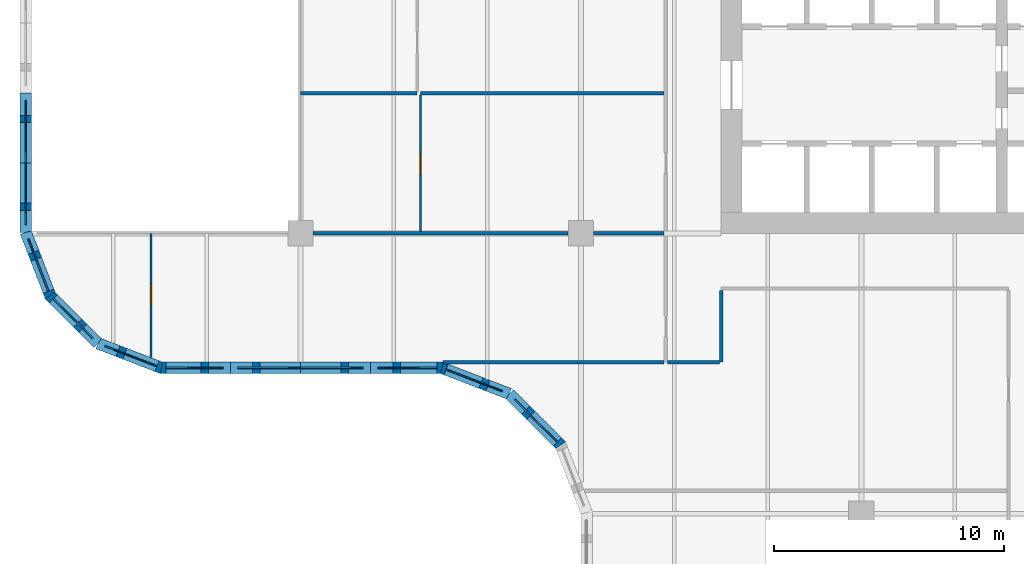
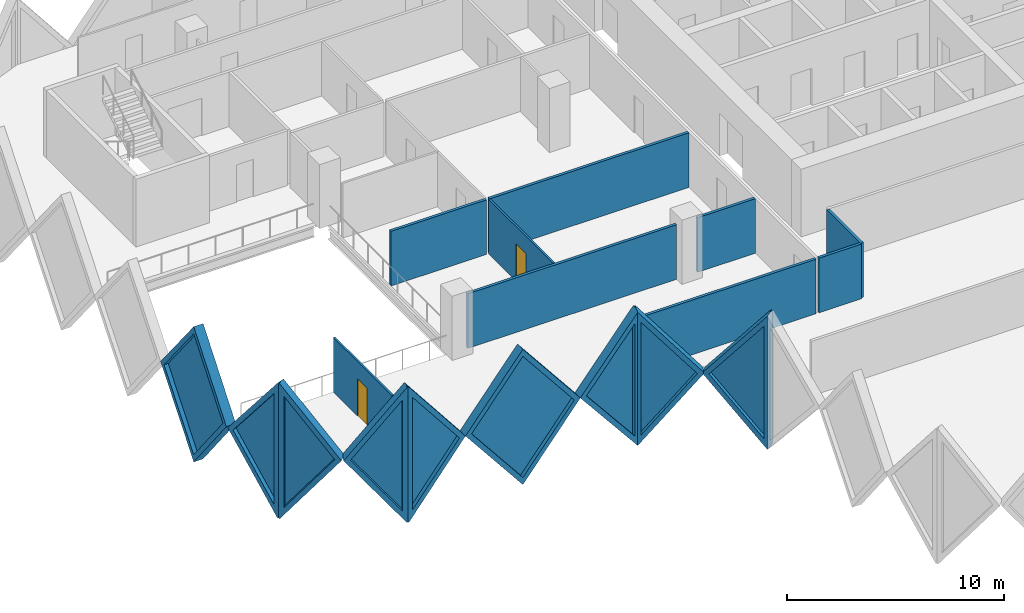
# One storey, part 4 of 18: 18 walls, 9 plates, 2 doors, 11 openings.
"""IFC4 building model written with IfcOpenShell, lengths in metres."""

from ifc_helpers import new_model, si_unit, direction, frame, frame_2d, origin, place, context, subcontext, project, spatial, polyline, rectangle, outline, extrude, faceted_brep, source, transform, mapped, material, layer, layer_set, type_object, element, fill, save


model = new_model("IFC4")

# Units and contexts
model_context = context("Model", 3, precision=1e-05, world=origin(), true_north=direction((0.0, 1.0)))
body_context = subcontext(model_context, "Body", "Model", "MODEL_VIEW")
ifc_project = project(units=[si_unit("LENGTHUNIT", "METRE"), si_unit("AREAUNIT", "SQUARE_METRE"), si_unit("VOLUMEUNIT", "CUBIC_METRE"), si_unit("PLANEANGLEUNIT", "RADIAN"), si_unit("MASSUNIT", "GRAM", prefix="KILO")], contexts=[model_context])

# Site, building, storey
site_placement = place(None, origin())
site = spatial("IfcSite", under=ifc_project, at=site_placement, CompositionType="ELEMENT")
building_placement = place(site_placement, origin())
building = spatial("IfcBuilding", under=site, at=building_placement, Name="Tessera Gate Towers", CompositionType="ELEMENT")
storey_placement = place(building_placement, frame((0.0, 0.0, 56.199951171875)))
storey = spatial("IfcBuildingStorey", under=building, at=storey_placement, Name="L13", CompositionType="ELEMENT", Elevation=56.199951171875)

# Walls
ifc_material_1 = material(Name="Gypsum board on steel studs, mineral wool", Category="steel")
ifc_layer_1 = layer(ifc_material_1, 0.14990234375)
ifc_layer_set_1 = layer_set([ifc_layer_1], Name="CORRIDOR WALL 150")
wall_type_1 = type_object("IfcWallType", Name="CORRIDOR WALL 150", PredefinedType="PARTITIONING", material=ifc_layer_set_1)
wall_1_placement = place(storey_placement, frame((28.176025390625, 18.800048828125, 0.0), z_axis=(0.0, 0.0, 1.0), x_axis=(1.0, 0.0, 0.0)))
element("IfcWall", 1, at=wall_1_placement, inside=storey, type_object=wall_type_1, Name="T1-L13-PW-014", PredefinedType="PARTITIONING", context=body_context, shape_type="SweptSolid", body=[
    extrude(rectangle(XDim=2.248046875, YDim=0.14990234375, at=frame_2d((1.1240234375, 0.0))), origin(), (0.0, 0.0, 1.0), 3.067138671875),
])
wall_2_placement = place(storey_placement, frame((30.5, 18.800048828125, 0.0), z_axis=(0.0, 0.0, 1.0), x_axis=(0.0, 1.0, 0.0)))
element("IfcWall", 2, at=wall_2_placement, inside=storey, type_object=wall_type_1, Name="T1-L13-PW-015", PredefinedType="PARTITIONING", context=body_context, shape_type="SweptSolid", body=[
    extrude(rectangle(XDim=3.1240234375, YDim=0.14990234375, at=frame_2d((1.56201171875, 0.0))), origin(), (0.0, 0.0, 1.0), 3.067138671875),
])

# Wall, opening, door
ifc_material_2 = material(Name="Glass", Category="glass")
ifc_layer_2 = layer(ifc_material_2, 0.10009765625)
ifc_layer_set_2 = layer_set([ifc_layer_2], Name="GLAZED PARTITION 100")
wall_type_2 = type_object("IfcWallType", Name="GLAZED PARTITION 100", PredefinedType="PARTITIONING", material=ifc_layer_set_2)
wall_3_placement = place(storey_placement, frame((5.699951171875, 18.990234375, 0.0), z_axis=(0.0, 0.0, 1.0), x_axis=(0.0, 1.0, 0.0)))
wall_3 = element("IfcWall", 3, at=wall_3_placement, inside=storey, type_object=wall_type_2, Name="T1-L13-PW-016", PredefinedType="PARTITIONING", context=body_context, shape_type="SweptSolid", body=[
    extrude(rectangle(XDim=5.40966796875, YDim=0.10009765625, at=frame_2d((2.704833984375, 0.0))), origin(), (0.0, 0.0, 1.0), 3.067138671875),
])
shared_shape_1 = source(origin(), body_context, "Body", "SweptSolid", [
    extrude(rectangle(XDim=0.89990234375, YDim=2.10009765625, at=frame_2d((0.449951171875, 1.050048828125))), frame((0.0, 0.06005859375, 0.0), z_axis=(0.0, -1.0, 0.0), x_axis=(1.0, 0.0, 0.0)), (0.0, 0.0, 1.0), 0.1201171875),
])
opening_1_placement = place(wall_3_placement, frame((2.300048828125, 0.0, 0.0)))
opening_1 = element("IfcOpeningElement", 4, at=opening_1_placement, cuts=wall_3, Name="Opening D690-A05-01", PredefinedType="OPENING", context=body_context, shape_type="MappedRepresentation", body=[
    mapped(shared_shape_1, transform((0.0, 0.0, 0.0), scale=1.0)),
])
ifc_material_3 = material(Name="Glass in aluminium frame", Category="aluminium")
door_type_1 = type_object("IfcDoorType", Name="GLAZED DOOR 900 NOT RATED", OperationType="NOTDEFINED", PredefinedType="DOOR", material=ifc_material_3)
shared_shape_2 = source(origin(), body_context, "Body", "SweptSolid", [
    extrude(rectangle(XDim=0.89990234375, YDim=2.10009765625, at=frame_2d((0.449951171875, 1.050048828125))), frame((0.0, 0.02490234375, 0.0), z_axis=(0.0, -1.0, 0.0), x_axis=(1.0, 0.0, 0.0)), (0.0, 0.0, 1.0), 0.050048828125),
])
door_1_placement = place(opening_1_placement, origin())
door_1 = element("IfcDoor", 5, at=door_1_placement, inside=storey, type_object=door_type_1, Name="T1-L13-PD-008", OperationType="SINGLE_SWING_LEFT", OverallHeight=2.10009765625, OverallWidth=0.89990234375, PredefinedType="DOOR", context=body_context, shape_type="MappedRepresentation", body=[
    mapped(shared_shape_2, transform((0.0, 0.0, 0.0), scale=1.0)),
])
fill(opening_1, door_1)

ifc_material_4 = material(Name="Gypsum board on steel studs", Category="steel")
ifc_layer_3 = layer(ifc_material_4, 0.10009765625)
ifc_layer_set_3 = layer_set([ifc_layer_3], Name="PARTITION 100")
wall_type_3 = type_object("IfcWallType", Name="PARTITION 100", PredefinedType="PARTITIONING", material=ifc_layer_set_3)
wall_4_placement = place(storey_placement, frame((17.425048828125, 24.47607421875, 0.0), z_axis=(0.0, 0.0, 1.0), x_axis=(0.0, 1.0, 0.0)))
wall_4 = element("IfcWall", 6, at=wall_4_placement, inside=storey, type_object=wall_type_3, Name="T1-L13-PW-023", PredefinedType="PARTITIONING", context=body_context, shape_type="SweptSolid", body=[
    extrude(rectangle(XDim=5.947998046875, YDim=0.10009765625, at=frame_2d((2.97412109375, 0.0))), origin(), (0.0, 0.0, 1.0), 3.067138671875),
])
opening_2_placement = place(wall_4_placement, frame((2.5, 0.0, 0.0)))
opening_2 = element("IfcOpeningElement", 7, at=opening_2_placement, cuts=wall_4, Name="Opening D190-A05-09", PredefinedType="OPENING", context=body_context, shape_type="MappedRepresentation", body=[
    mapped(shared_shape_1, transform((0.0, 0.0, 0.0), scale=1.0)),
])
ifc_material_5 = material(Name="Timber door leaf in steel frame", Category="steel")
door_type_2 = type_object("IfcDoorType", Name="INTERNAL DOOR 900 NOT RATED", OperationType="NOTDEFINED", PredefinedType="DOOR", material=ifc_material_5)
door_2_placement = place(opening_2_placement, origin())
door_2 = element("IfcDoor", 8, at=door_2_placement, inside=storey, type_object=door_type_2, Name="T1-L13-PD-014", OperationType="SINGLE_SWING_LEFT", OverallHeight=2.10009765625, OverallWidth=0.89990234375, PredefinedType="DOOR", context=body_context, shape_type="MappedRepresentation", body=[
    mapped(shared_shape_2, transform((0.0, 0.0, 0.0), scale=1.0)),
])
fill(opening_2, door_2)

# Walls
ifc_material_6 = material(Name="Gypsum board on steel studs, mineral wool", Category="steel")
ifc_layer_4 = layer(ifc_material_6, 0.14990234375)
ifc_layer_set_4 = layer_set([ifc_layer_4], Name="TENANCY WALL 150")
wall_type_4 = type_object("IfcWallType", Name="TENANCY WALL 150", PredefinedType="PARTITIONING", material=ifc_layer_set_4)
wall_5_placement = place(storey_placement, frame((18.39306640625, 18.800048828125, 0.0), z_axis=(0.0, 0.0, 1.0), x_axis=(1.0, 0.0, 0.0)))
element("IfcWall", 9, at=wall_5_placement, inside=storey, type_object=wall_type_4, Name="T1-L13-PW-012", PredefinedType="PARTITIONING", context=body_context, shape_type="SweptSolid", body=[
    extrude(rectangle(XDim=9.630859375, YDim=0.14990234375, at=frame_2d((4.8154296875, 0.0))), origin(), (0.0, 0.0, 1.0), 3.067138671875),
])
wall_6_placement = place(storey_placement, frame((12.7509765625, 24.39990234375, 0.0), z_axis=(0.0, 0.0, 1.0), x_axis=(1.0, 0.0, 0.0)))
element("IfcWall", 10, at=wall_6_placement, inside=storey, type_object=wall_type_4, Name="T1-L13-PW-021", PredefinedType="PARTITIONING", context=body_context, shape_type="SweptSolid", body=[
    extrude(rectangle(XDim=11.09814453125, YDim=0.14990234375, at=frame_2d((5.549072265625, 0.0))), origin(), (0.0, 0.0, 1.0), 3.067138671875),
])
wall_7_placement = place(storey_placement, frame((24.950927734375, 24.39990234375, 0.0), z_axis=(0.0, 0.0, 1.0), x_axis=(1.0, 0.0, 0.0)))
element("IfcWall", 11, at=wall_7_placement, inside=storey, type_object=wall_type_4, Name="T1-L13-PW-022", PredefinedType="PARTITIONING", context=body_context, shape_type="SweptSolid", body=[
    extrude(rectangle(XDim=3.072998046875, YDim=0.14990234375, at=frame_2d((1.53662109375, 0.0))), origin(), (0.0, 0.0, 1.0), 3.067138671875),
])
wall_8_placement = place(storey_placement, frame((12.199951171875, 30.5, 0.0), z_axis=(0.0, 0.0, 1.0), x_axis=(1.0, 0.0, 0.0)))
element("IfcWall", 12, at=wall_8_placement, inside=storey, type_object=wall_type_4, Name="T1-L13-PW-024", PredefinedType="PARTITIONING", context=body_context, shape_type="SweptSolid", body=[
    extrude(rectangle(XDim=5.074951171875, YDim=0.14990234375, at=frame_2d((2.53759765625, 0.0))), origin(), (0.0, 0.0, 1.0), 3.067138671875),
])
wall_9_placement = place(storey_placement, frame((17.425048828125, 30.5, 0.0), z_axis=(0.0, 0.0, 1.0), x_axis=(1.0, 0.0, 0.0)))
element("IfcWall", 13, at=wall_9_placement, inside=storey, type_object=wall_type_4, Name="T1-L13-PW-025", PredefinedType="PARTITIONING", context=body_context, shape_type="SweptSolid", body=[
    extrude(rectangle(XDim=10.598876953125, YDim=0.14990234375, at=frame_2d((5.29931640625, 0.0))), origin(), (0.0, 0.0, 1.0), 3.067138671875),
])

# Wall, opening, plate
ifc_material_7 = material(Name="Precast concrete C60/75 white", Category="concrete")
ifc_layer_5 = layer(ifc_material_7, 0.5)
ifc_layer_set_5 = layer_set([ifc_layer_5], Name="TS1 tessera")
wall_type_5 = type_object("IfcWallType", Name="TS1 tessera", PredefinedType="SOLIDWALL", material=ifc_layer_set_5)
shared_shape_3 = source(origin(), body_context, "Body", "SweptSolid", [
    extrude(outline(polyline([(3.050048828125, 0.0), (6.10009765625, 3.800048828125), (3.050048828125, 7.60009765625), (0.0, 3.800048828125), (3.050048828125, 0.0)])), frame((0.0, 0.25, 0.0), z_axis=(0.0, -1.0, 0.0), x_axis=(1.0, 0.0, 0.0)), (0.0, 0.0, 1.0), 0.5),
])
wall_10_placement = place(storey_placement, frame((9.14990234375, 18.550048828125, -3.800048828125), z_axis=(0.0, 0.0, 1.0), x_axis=(1.0, 0.0, 0.0)))
wall_10 = element("IfcWall", 14, at=wall_10_placement, inside=storey, type_object=wall_type_5, Name="Precast tessera T1 TS1-0205", PredefinedType="SOLIDWALL", context=body_context, shape_type="MappedRepresentation", body=[
    mapped(shared_shape_3, transform((0.0, 0.0, 0.0), scale=1.0)),
])
shared_shape_4 = source(origin(), body_context, "Body", "SweptSolid", [
    extrude(outline(polyline([(3.050048828125, 0.3994140625), (5.779541015625, 3.800048828125), (3.050048828125, 7.20068359375), (0.320556640625, 3.800048828125), (3.050048828125, 0.3994140625)])), frame((0.0, 0.260009765625, 0.0), z_axis=(0.0, -1.0, 0.0), x_axis=(1.0, 0.0, 0.0)), (0.0, 0.0, 1.0), 0.52001953125),
])
opening_3_placement = place(wall_10_placement, origin())
opening_3 = element("IfcOpeningElement", 15, at=opening_3_placement, cuts=wall_10, Name="Opening T1-PL2-0415", PredefinedType="OPENING", context=body_context, shape_type="MappedRepresentation", body=[
    mapped(shared_shape_4, transform((0.0, 0.0, 0.0), scale=1.0)),
])
ifc_material_8 = material(Name="Low-e laminated glass", Category="glass")
ifc_layer_6 = layer(ifc_material_8, 0.06005859375)
ifc_layer_set_6 = layer_set([ifc_layer_6], Name="PL2 rhombic pane")
plate_type = type_object("IfcPlateType", Name="PL2 rhombic pane", PredefinedType="SHEET", material=ifc_layer_set_6)
shared_shape_5 = source(origin(), body_context, "Body", "SweptSolid", [
    extrude(outline(polyline([(3.050048828125, 0.3994140625), (5.779541015625, 3.800048828125), (3.050048828125, 7.20068359375), (0.320556640625, 3.800048828125), (3.050048828125, 0.3994140625)])), frame((0.0, 0.030029296875, 0.0), z_axis=(0.0, -1.0, 0.0), x_axis=(1.0, 0.0, 0.0)), (0.0, 0.0, 1.0), 0.06005859375),
])
plate_1_placement = place(opening_3_placement, origin())
plate_1 = element("IfcPlate", 16, at=plate_1_placement, inside=storey, type_object=plate_type, Name="Glass pane T1 PL2-0415", PredefinedType="SHEET", context=body_context, shape_type="MappedRepresentation", body=[
    mapped(shared_shape_5, transform((0.0, 0.0, 0.0), scale=1.0)),
])
fill(opening_3, plate_1)

shared_shape_6 = source(origin(), body_context, "Body", "Brep", [
    faceted_brep([(3.050048828125, -0.25, 0.0), (6.053466796875, -0.25, 3.800048828125), (3.050048828125, -0.25, 7.60009765625), (0.0, -0.25, 3.800048828125), (0.0, 0.25, 3.800048828125), (3.050048828125, 0.25, 7.60009765625), (6.0068359375, 0.25, 3.85888671875), (6.0068359375, 0.25, 3.7412109375), (3.050048828125, 0.25, 0.0), (6.053466796875, 0.0, 3.800048828125)], [[[0, 1, 2, 3]], [[4, 5, 6, 7, 8]], [[8, 7, 9, 1, 0]], [[6, 5, 2, 1, 9]], [[5, 4, 3, 2]], [[4, 8, 0, 3]], [[9, 7, 6]]]),
])
wall_11_placement = place(storey_placement, frame((0.25, 30.5, -3.800048828125), z_axis=(0.0, 0.0, 1.0), x_axis=(0.0, -1.0, 0.0)))
wall_11 = element("IfcWall", 17, at=wall_11_placement, inside=storey, type_object=wall_type_5, Name="Precast tessera T1 TS1-0204", PredefinedType="SOLIDWALL", context=body_context, shape_type="MappedRepresentation", body=[
    mapped(shared_shape_6, transform((0.0, 0.0, 0.0), scale=1.0)),
])
shared_shape_7 = source(origin(), body_context, "Body", "SweptSolid", [
    extrude(outline(polyline([(3.048583984375, 0.4013671875), (5.73486328125, 3.800048828125), (3.048583984375, 7.19873046875), (0.320556640625, 3.800048828125), (3.048583984375, 0.4013671875)])), frame((0.0, 0.260009765625, 0.0), z_axis=(0.0, -1.0, 0.0), x_axis=(1.0, 0.0, 0.0)), (0.0, 0.0, 1.0), 0.52001953125),
])
opening_4_placement = place(wall_11_placement, origin())
opening_4 = element("IfcOpeningElement", 18, at=opening_4_placement, cuts=wall_11, Name="Opening T1-PL2-0410", PredefinedType="OPENING", context=body_context, shape_type="MappedRepresentation", body=[
    mapped(shared_shape_7, transform((0.0, 0.0, 0.0), scale=1.0)),
])
shared_shape_8 = source(origin(), body_context, "Body", "SweptSolid", [
    extrude(outline(polyline([(3.048583984375, 0.4013671875), (5.73486328125, 3.800048828125), (3.048583984375, 7.19873046875), (0.320556640625, 3.800048828125), (3.048583984375, 0.4013671875)])), frame((0.0, 0.030029296875, 0.0), z_axis=(0.0, -1.0, 0.0), x_axis=(1.0, 0.0, 0.0)), (0.0, 0.0, 1.0), 0.06005859375),
])
plate_2_placement = place(opening_4_placement, origin())
plate_2 = element("IfcPlate", 19, at=plate_2_placement, inside=storey, type_object=plate_type, Name="Glass pane T1 PL2-0410", PredefinedType="SHEET", context=body_context, shape_type="MappedRepresentation", body=[
    mapped(shared_shape_8, transform((0.0, 0.0, 0.0), scale=1.0)),
])
fill(opening_4, plate_2)

ifc_material_9 = material(Name="Precast concrete C60/75 white", Category="concrete")
ifc_layer_7 = layer(ifc_material_9, 0.5)
ifc_layer_set_7 = layer_set([ifc_layer_7], Name="TS3 corner tessera")
wall_type_6 = type_object("IfcWallType", Name="TS3 corner tessera", PredefinedType="SOLIDWALL", material=ifc_layer_set_7)
shared_shape_9 = source(origin(), body_context, "Body", "Brep", [
    faceted_brep([(0.052978515625, -0.25, 0.0), (2.9970703125, -0.25, 3.800048828125), (0.052978515625, -0.25, 7.60009765625), (0.0, -0.25, 7.531982421875), (0.0, -0.25, 0.068115234375), (0.10595703125, 0.25, 7.53173828125), (2.944091796875, 0.25, 3.8681640625), (2.944091796875, 0.25, 3.73193359375), (0.10595703125, 0.25, 0.068359375), (2.9970703125, 0.000244140625, 3.800048828125), (0.052978515625, 0.0, 0.0), (0.052978515625, 0.0, 7.60009765625)], [[[0, 1, 2, 3, 4]], [[5, 6, 7, 8]], [[8, 7, 9, 1, 0, 10]], [[6, 5, 11, 2, 1, 9]], [[3, 2, 11]], [[10, 0, 4]], [[8, 10, 4, 3, 11, 5]], [[9, 7, 6]]]),
])
wall_12_placement = place(storey_placement, frame((1.2744140625, 21.731201171875, -3.800048828125), z_axis=(0.0, 0.0, 1.0), x_axis=(0.707147509625, -0.707066050402, 0.0)))
wall_12 = element("IfcWall", 20, at=wall_12_placement, inside=storey, type_object=wall_type_6, Name="Precast corner tessera T1 TS3-0280", PredefinedType="SOLIDWALL", context=body_context, shape_type="MappedRepresentation", body=[
    mapped(shared_shape_9, transform((0.0, 0.0, 0.0), scale=1.0)),
])
shared_shape_10 = source(origin(), body_context, "Body", "SweptSolid", [
    extrude(outline(polyline([(0.2529296875, 0.66650390625), (2.680908203125, 3.800048828125), (0.2529296875, 6.933837890625), (0.2529296875, 0.66650390625)])), frame((0.0, 0.260009765625, 0.0), z_axis=(0.0, -1.0, 0.0), x_axis=(1.0, 0.0, 0.0)), (0.0, 0.0, 1.0), 0.52001953125),
])
opening_5_placement = place(wall_12_placement, origin())
opening_5 = element("IfcOpeningElement", 21, at=opening_5_placement, cuts=wall_12, Name="Opening T1-PL2-0412", PredefinedType="OPENING", context=body_context, shape_type="MappedRepresentation", body=[
    mapped(shared_shape_10, transform((0.0, 0.0, 0.0), scale=1.0)),
])
shared_shape_11 = source(origin(), body_context, "Body", "SweptSolid", [
    extrude(outline(polyline([(0.2529296875, 0.66650390625), (2.680908203125, 3.800048828125), (0.2529296875, 6.933837890625), (0.2529296875, 0.66650390625)])), frame((0.0, 0.030029296875, 0.0), z_axis=(0.0, -1.0, 0.0), x_axis=(1.0, 0.0, 0.0)), (0.0, 0.0, 1.0), 0.06005859375),
])
plate_3_placement = place(opening_5_placement, origin())
plate_3 = element("IfcPlate", 22, at=plate_3_placement, inside=storey, type_object=plate_type, Name="Glass pane T1 PL2-0412", PredefinedType="SHEET", context=body_context, shape_type="MappedRepresentation", body=[
    mapped(shared_shape_11, transform((0.0, 0.0, 0.0), scale=1.0)),
])
fill(opening_5, plate_3)

shared_shape_12 = source(origin(), body_context, "Body", "Brep", [
    faceted_brep([(2.950439453125, -0.25, 0.0), (2.9970703125, -0.25, 0.05908203125), (2.9970703125, -0.25, 7.541015625), (2.950439453125, -0.25, 7.60009765625), (0.0, -0.25, 3.800048828125), (0.052978515625, 0.25, 3.8681640625), (2.904052734375, 0.25, 7.540283203125), (2.904052734375, 0.25, 0.059814453125), (0.052978515625, 0.25, 3.73193359375), (2.950439453125, 0.00048828125, 0.0), (2.950439453125, 0.00048828125, 7.60009765625), (0.0, 0.0, 3.800048828125)], [[[0, 1, 2, 3, 4]], [[5, 6, 7, 8]], [[1, 0, 9]], [[10, 3, 2]], [[6, 5, 11, 4, 3, 10]], [[8, 7, 9, 0, 4, 11]], [[8, 11, 5]], [[1, 9, 7, 6, 10, 2]]]),
])
wall_13_placement = place(storey_placement, frame((3.393798828125, 19.61181640625, -3.800048828125), z_axis=(0.0, 0.0, 1.0), x_axis=(0.932990326376, -0.359901446078, 0.0)))
wall_13 = element("IfcWall", 23, at=wall_13_placement, inside=storey, type_object=wall_type_6, Name="Precast corner tessera T1 TS3-0281", PredefinedType="SOLIDWALL", context=body_context, shape_type="MappedRepresentation", body=[
    mapped(shared_shape_12, transform((0.0, 0.0, 0.0), scale=1.0)),
])
shared_shape_13 = source(origin(), body_context, "Body", "SweptSolid", [
    extrude(outline(polyline([(2.75048828125, 6.934814453125), (0.31640625, 3.800048828125), (2.75048828125, 0.665283203125), (2.75048828125, 6.934814453125)])), frame((0.0, 0.260009765625, 0.0), z_axis=(0.0, -1.0, 0.0), x_axis=(1.0, 0.0, 0.0)), (0.0, 0.0, 1.0), 0.52001953125),
])
opening_6_placement = place(wall_13_placement, origin())
opening_6 = element("IfcOpeningElement", 24, at=opening_6_placement, cuts=wall_13, Name="Opening T1-PL2-0413", PredefinedType="OPENING", context=body_context, shape_type="MappedRepresentation", body=[
    mapped(shared_shape_13, transform((0.0, 0.0, 0.0), scale=1.0)),
])
shared_shape_14 = source(origin(), body_context, "Body", "SweptSolid", [
    extrude(outline(polyline([(2.75048828125, 6.934814453125), (0.31640625, 3.800048828125), (2.75048828125, 0.665283203125), (2.75048828125, 6.934814453125)])), frame((0.0, 0.030029296875, 0.0), z_axis=(0.0, -1.0, 0.0), x_axis=(1.0, 0.0, 0.0)), (0.0, 0.0, 1.0), 0.06005859375),
])
plate_4_placement = place(opening_6_placement, origin())
plate_4 = element("IfcPlate", 25, at=plate_4_placement, inside=storey, type_object=plate_type, Name="Glass pane T1 PL2-0413", PredefinedType="SHEET", context=body_context, shape_type="MappedRepresentation", body=[
    mapped(shared_shape_14, transform((0.0, 0.0, 0.0), scale=1.0)),
])
fill(opening_6, plate_4)

shared_shape_15 = source(origin(), body_context, "Body", "Brep", [
    faceted_brep([(0.046630859375, -0.25, 0.0), (3.050048828125, -0.25, 3.800048828125), (0.046630859375, -0.25, 7.60009765625), (0.0, -0.25, 7.5400390625), (0.0, -0.25, 0.06005859375), (0.09326171875, 0.25, 7.541259765625), (3.050048828125, 0.25, 3.800048828125), (0.09326171875, 0.25, 0.058837890625), (0.046630859375, 0.0, 0.0), (0.046630859375, 0.0, 7.60009765625)], [[[0, 1, 2, 3, 4]], [[5, 6, 7]], [[7, 6, 1, 0, 8]], [[6, 5, 9, 2, 1]], [[3, 2, 9]], [[8, 0, 4]], [[7, 8, 4, 3, 9, 5]]]),
])
wall_14_placement = place(storey_placement, frame((6.099853515625, 18.550048828125, -3.800048828125), z_axis=(0.0, 0.0, 1.0), x_axis=(1.0, 0.0, 0.0)))
wall_14 = element("IfcWall", 26, at=wall_14_placement, inside=storey, type_object=wall_type_6, Name="Precast corner tessera T1 TS3-0282", PredefinedType="SOLIDWALL", context=body_context, shape_type="MappedRepresentation", body=[
    mapped(shared_shape_15, transform((0.0, 0.0, 0.0), scale=1.0)),
])
shared_shape_16 = source(origin(), body_context, "Body", "SweptSolid", [
    extrude(outline(polyline([(0.24658203125, 0.65625), (2.7314453125, 3.800048828125), (0.24658203125, 6.94384765625), (0.24658203125, 0.65625)])), frame((0.0, 0.260009765625, 0.0), z_axis=(0.0, -1.0, 0.0), x_axis=(1.0, 0.0, 0.0)), (0.0, 0.0, 1.0), 0.52001953125),
])
opening_7_placement = place(wall_14_placement, origin())
opening_7 = element("IfcOpeningElement", 27, at=opening_7_placement, cuts=wall_14, Name="Opening T1-PL2-0414", PredefinedType="OPENING", context=body_context, shape_type="MappedRepresentation", body=[
    mapped(shared_shape_16, transform((0.0, 0.0, 0.0), scale=1.0)),
])
shared_shape_17 = source(origin(), body_context, "Body", "SweptSolid", [
    extrude(outline(polyline([(0.24658203125, 0.65625), (2.7314453125, 3.800048828125), (0.24658203125, 6.94384765625), (0.24658203125, 0.65625)])), frame((0.0, 0.030029296875, 0.0), z_axis=(0.0, -1.0, 0.0), x_axis=(1.0, 0.0, 0.0)), (0.0, 0.0, 1.0), 0.06005859375),
])
plate_5_placement = place(opening_7_placement, origin())
plate_5 = element("IfcPlate", 28, at=plate_5_placement, inside=storey, type_object=plate_type, Name="Glass pane T1 PL2-0414", PredefinedType="SHEET", context=body_context, shape_type="MappedRepresentation", body=[
    mapped(shared_shape_17, transform((0.0, 0.0, 0.0), scale=1.0)),
])
fill(opening_7, plate_5)

shared_shape_18 = source(origin(), body_context, "Body", "Brep", [
    faceted_brep([(2.950439453125, -0.25, 0.0), (3.00341796875, -0.25, 0.068359375), (3.00341796875, -0.25, 7.53173828125), (2.950439453125, -0.25, 7.60009765625), (0.0, -0.25, 3.800048828125), (0.046630859375, 0.25, 3.860107421875), (2.897705078125, 0.25, 7.531982421875), (2.897705078125, 0.25, 0.068115234375), (0.046630859375, 0.25, 3.739990234375), (2.950439453125, 0.00048828125, 0.0), (2.950439453125, 0.00048828125, 7.60009765625), (0.0, 0.0, 3.800048828125)], [[[0, 1, 2, 3, 4]], [[5, 6, 7, 8]], [[1, 0, 9]], [[10, 3, 2]], [[6, 5, 11, 4, 3, 10]], [[8, 7, 9, 0, 4, 11]], [[8, 11, 5]], [[1, 9, 7, 6, 10, 2]]]),
])
wall_15_placement = place(storey_placement, frame((0.25, 24.446533203125, -3.800048828125), z_axis=(0.0, 0.0, 1.0), x_axis=(0.35992665181, -0.932980602862, 0.0)))
wall_15 = element("IfcWall", 29, at=wall_15_placement, inside=storey, type_object=wall_type_6, Name="Precast corner tessera T1 TS3-0279", PredefinedType="SOLIDWALL", context=body_context, shape_type="MappedRepresentation", body=[
    mapped(shared_shape_18, transform((0.0, 0.0, 0.0), scale=1.0)),
])
opening_8_placement = place(wall_15_placement, origin())
opening_8 = element("IfcOpeningElement", 30, at=opening_8_placement, cuts=wall_15, Name="Opening T1-PL2-0411", PredefinedType="OPENING", context=body_context, shape_type="MappedRepresentation", body=[
    mapped(shared_shape_13, transform((0.0, 0.0, 0.0), scale=1.0)),
])
plate_6_placement = place(opening_8_placement, origin())
plate_6 = element("IfcPlate", 31, at=plate_6_placement, inside=storey, type_object=plate_type, Name="Glass pane T1 PL2-0411", PredefinedType="SHEET", context=body_context, shape_type="MappedRepresentation", body=[
    mapped(shared_shape_14, transform((0.0, 0.0, 0.0), scale=1.0)),
])
fill(opening_8, plate_6)

shared_shape_19 = source(origin(), body_context, "Body", "Brep", [
    faceted_brep([(3.050048828125, -0.25, 7.543212890625), (0.0, -0.25, 3.800048828125), (3.050048828125, -0.25, 0.056884765625), (0.0, 0.25, 3.800048828125), (3.096435546875, 0.25, 7.60009765625), (3.14306640625, 0.25, 7.543701171875), (3.14306640625, 0.25, 0.056396484375), (3.096435546875, 0.25, 0.0), (3.096435546875, -0.00048828125, 0.0), (3.096435546875, -0.00048828125, 7.60009765625)], [[[0, 1, 2]], [[3, 4, 5, 6, 7]], [[7, 6, 8]], [[5, 4, 9]], [[4, 3, 1, 0, 9]], [[3, 7, 8, 2, 1]], [[2, 8, 6, 5, 9, 0]]]),
])
wall_16_placement = place(storey_placement, frame((15.25, 18.550048828125, -3.800048828125), z_axis=(0.0, 0.0, 1.0), x_axis=(1.0, 0.0, 0.0)))
wall_16 = element("IfcWall", 32, at=wall_16_placement, inside=storey, type_object=wall_type_6, Name="Precast corner tessera T1 TS3-0283", PredefinedType="SOLIDWALL", context=body_context, shape_type="MappedRepresentation", body=[
    mapped(shared_shape_19, transform((0.0, 0.0, 0.0), scale=1.0)),
])
shared_shape_20 = source(origin(), body_context, "Body", "SweptSolid", [
    extrude(outline(polyline([(2.896484375, 6.958984375), (0.322509765625, 3.800048828125), (2.896484375, 0.641357421875), (2.896484375, 6.958984375)])), frame((0.0, 0.260009765625, 0.0), z_axis=(0.0, -1.0, 0.0), x_axis=(1.0, 0.0, 0.0)), (0.0, 0.0, 1.0), 0.52001953125),
])
opening_9_placement = place(wall_16_placement, origin())
opening_9 = element("IfcOpeningElement", 33, at=opening_9_placement, cuts=wall_16, Name="Opening T1-PL2-0416", PredefinedType="OPENING", context=body_context, shape_type="MappedRepresentation", body=[
    mapped(shared_shape_20, transform((0.0, 0.0, 0.0), scale=1.0)),
])
shared_shape_21 = source(origin(), body_context, "Body", "SweptSolid", [
    extrude(outline(polyline([(2.896484375, 6.958984375), (0.322509765625, 3.800048828125), (2.896484375, 0.641357421875), (2.896484375, 6.958984375)])), frame((0.0, 0.030029296875, 0.0), z_axis=(0.0, -1.0, 0.0), x_axis=(1.0, 0.0, 0.0)), (0.0, 0.0, 1.0), 0.06005859375),
])
plate_7_placement = place(opening_9_placement, origin())
plate_7 = element("IfcPlate", 34, at=plate_7_placement, inside=storey, type_object=plate_type, Name="Glass pane T1 PL2-0416", PredefinedType="SHEET", context=body_context, shape_type="MappedRepresentation", body=[
    mapped(shared_shape_21, transform((0.0, 0.0, 0.0), scale=1.0)),
])
fill(opening_9, plate_7)

shared_shape_22 = source(origin(), body_context, "Body", "Brep", [
    faceted_brep([(0.09326171875, -0.25, 0.05615234375), (3.14306640625, -0.25, 3.736328125), (3.14306640625, -0.25, 3.86376953125), (0.09326171875, -0.25, 7.5439453125), (0.0, 0.25, 7.54296875), (0.046630859375, 0.25, 7.60009765625), (3.196044921875, 0.25, 3.800048828125), (0.046630859375, 0.25, 0.0), (0.0, 0.25, 0.05712890625), (3.196044921875, -0.000244140625, 3.800048828125), (0.046630859375, 0.0, 0.0), (0.046630859375, 0.0, 7.60009765625)], [[[0, 1, 2, 3]], [[4, 5, 6, 7, 8]], [[7, 6, 9, 1, 0, 10]], [[6, 5, 11, 3, 2, 9]], [[5, 4, 11]], [[8, 7, 10]], [[8, 10, 0, 3, 11, 4]], [[1, 9, 2]]]),
])
wall_17_placement = place(storey_placement, frame((18.302978515625, 18.56689453125, -3.800048828125), z_axis=(0.0, 0.0, 1.0), x_axis=(0.932978940178, -0.359930961693, 0.0)))
wall_17 = element("IfcWall", 35, at=wall_17_placement, inside=storey, type_object=wall_type_6, Name="Precast corner tessera T1 TS3-0284", PredefinedType="SOLIDWALL", context=body_context, shape_type="MappedRepresentation", body=[
    mapped(shared_shape_22, transform((0.0, 0.0, 0.0), scale=1.0)),
])
shared_shape_23 = source(origin(), body_context, "Body", "SweptSolid", [
    extrude(outline(polyline([(0.24658203125, 0.63330078125), (2.871337890625, 3.800048828125), (0.24658203125, 6.967041015625), (0.24658203125, 0.63330078125)])), frame((0.0, 0.260009765625, 0.0), z_axis=(0.0, -1.0, 0.0), x_axis=(1.0, 0.0, 0.0)), (0.0, 0.0, 1.0), 0.52001953125),
])
opening_10_placement = place(wall_17_placement, origin())
opening_10 = element("IfcOpeningElement", 36, at=opening_10_placement, cuts=wall_17, Name="Opening T1-PL2-0417", PredefinedType="OPENING", context=body_context, shape_type="MappedRepresentation", body=[
    mapped(shared_shape_23, transform((0.0, 0.0, 0.0), scale=1.0)),
])
shared_shape_24 = source(origin(), body_context, "Body", "SweptSolid", [
    extrude(outline(polyline([(0.24658203125, 0.63330078125), (2.871337890625, 3.800048828125), (0.24658203125, 6.967041015625), (0.24658203125, 0.63330078125)])), frame((0.0, 0.030029296875, 0.0), z_axis=(0.0, -1.0, 0.0), x_axis=(1.0, 0.0, 0.0)), (0.0, 0.0, 1.0), 0.06005859375),
])
plate_8_placement = place(opening_10_placement, origin())
plate_8 = element("IfcPlate", 37, at=plate_8_placement, inside=storey, type_object=plate_type, Name="Glass pane T1 PL2-0417", PredefinedType="SHEET", context=body_context, shape_type="MappedRepresentation", body=[
    mapped(shared_shape_24, transform((0.0, 0.0, 0.0), scale=1.0)),
])
fill(opening_10, plate_8)

shared_shape_25 = source(origin(), body_context, "Body", "Brep", [
    faceted_brep([(3.10302734375, -0.25, 7.536376953125), (0.052978515625, -0.25, 3.86376953125), (0.052978515625, -0.25, 3.736328125), (3.10302734375, -0.25, 0.063720703125), (0.0, 0.25, 3.800048828125), (3.15576171875, 0.25, 7.60009765625), (3.208740234375, 0.25, 7.5361328125), (3.208740234375, 0.25, 0.06396484375), (3.15576171875, 0.25, 0.0), (3.15576171875, -0.00048828125, 0.0), (3.15576171875, -0.00048828125, 7.60009765625), (0.0, 0.0, 3.800048828125)], [[[0, 1, 2, 3]], [[4, 5, 6, 7, 8]], [[8, 7, 9]], [[6, 5, 10]], [[5, 4, 11, 1, 0, 10]], [[4, 8, 9, 3, 2, 11]], [[11, 2, 1]], [[3, 9, 7, 6, 10, 0]]]),
])
wall_18_placement = place(storey_placement, frame((21.284912109375, 17.41650390625, -3.800048828125), z_axis=(0.0, 0.0, 1.0), x_axis=(0.707106781187, -0.707106781187, 0.0)))
wall_18 = element("IfcWall", 38, at=wall_18_placement, inside=storey, type_object=wall_type_6, Name="Precast corner tessera T1 TS3-0285", PredefinedType="SOLIDWALL", context=body_context, shape_type="MappedRepresentation", body=[
    mapped(shared_shape_25, transform((0.0, 0.0, 0.0), scale=1.0)),
])
shared_shape_26 = source(origin(), body_context, "Body", "SweptSolid", [
    extrude(outline(polyline([(2.955810546875, 6.968017578125), (0.324951171875, 3.800048828125), (2.955810546875, 0.63232421875), (2.955810546875, 6.968017578125)])), frame((0.0, 0.260009765625, 0.0), z_axis=(0.0, -1.0, 0.0), x_axis=(1.0, 0.0, 0.0)), (0.0, 0.0, 1.0), 0.52001953125),
])
opening_11_placement = place(wall_18_placement, origin())
opening_11 = element("IfcOpeningElement", 39, at=opening_11_placement, cuts=wall_18, Name="Opening T1-PL2-0418", PredefinedType="OPENING", context=body_context, shape_type="MappedRepresentation", body=[
    mapped(shared_shape_26, transform((0.0, 0.0, 0.0), scale=1.0)),
])
shared_shape_27 = source(origin(), body_context, "Body", "SweptSolid", [
    extrude(outline(polyline([(2.955810546875, 6.968017578125), (0.324951171875, 3.800048828125), (2.955810546875, 0.63232421875), (2.955810546875, 6.968017578125)])), frame((0.0, 0.030029296875, 0.0), z_axis=(0.0, -1.0, 0.0), x_axis=(1.0, 0.0, 0.0)), (0.0, 0.0, 1.0), 0.06005859375),
])
plate_9_placement = place(opening_11_placement, origin())
plate_9 = element("IfcPlate", 40, at=plate_9_placement, inside=storey, type_object=plate_type, Name="Glass pane T1 PL2-0418", PredefinedType="SHEET", context=body_context, shape_type="MappedRepresentation", body=[
    mapped(shared_shape_27, transform((0.0, 0.0, 0.0), scale=1.0)),
])
fill(opening_11, plate_9)

save(model, "model.ifc")
